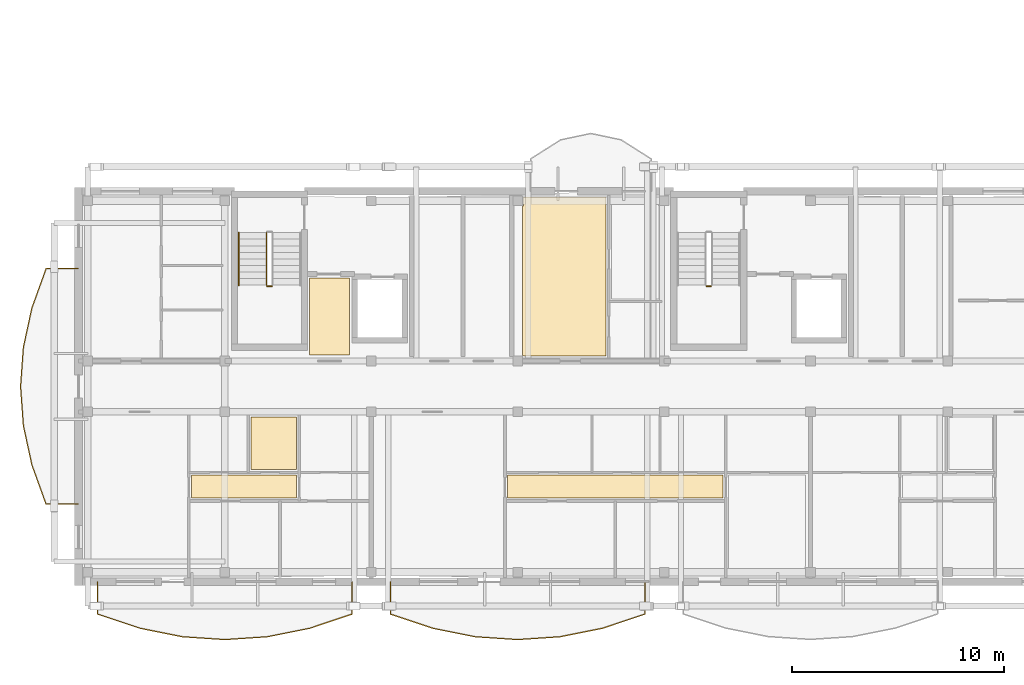
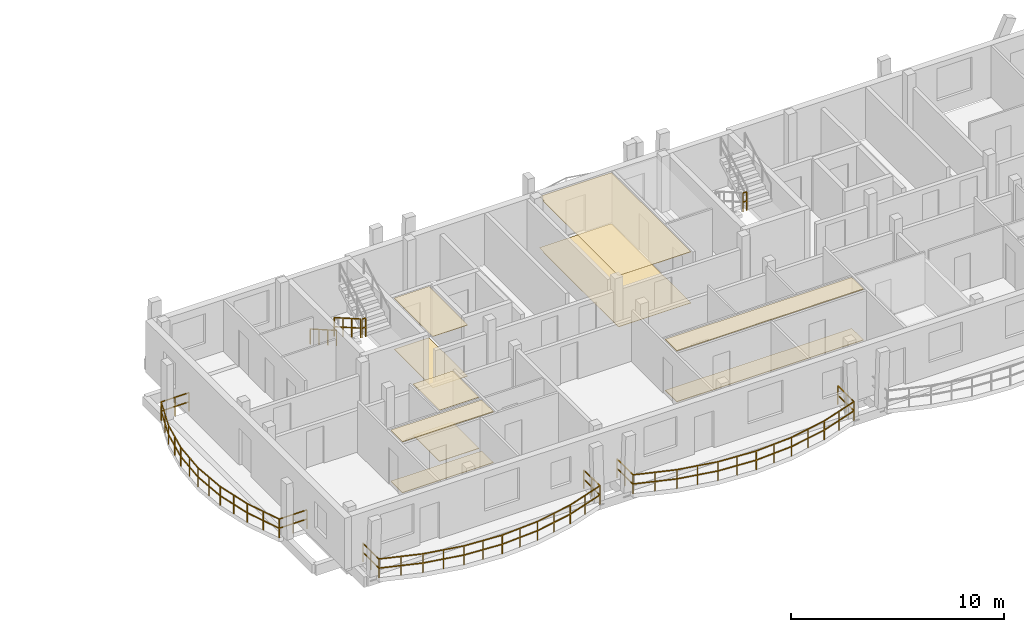
# One storey, part 33 of 41: 10 coverings, 7 railings.
"""IFC4 building model written with IfcOpenShell, lengths in metres."""

from ifc_helpers import new_model, si_unit, direction, frame, origin, origin_2d, place, context, subcontext, project, spatial, polyline, rectangle, outline, extrude, material, layer, layer_set, type_object, element, save


model = new_model("IFC4")

# Units and contexts
model_context = context("Model", 3, precision=1e-05, world=origin(), true_north=direction((0.0, 1.0)))
body_context = subcontext(model_context, "Body", "Model", "MODEL_VIEW")
ifc_project = project(units=[si_unit("LENGTHUNIT", "METRE"), si_unit("AREAUNIT", "SQUARE_METRE"), si_unit("VOLUMEUNIT", "CUBIC_METRE"), si_unit("PLANEANGLEUNIT", "RADIAN"), si_unit("MASSUNIT", "GRAM", prefix="KILO")], contexts=[model_context])

# Site, building, storey
site_placement = place(None, origin())
site = spatial("IfcSite", under=ifc_project, at=site_placement, CompositionType="ELEMENT")
building_placement = place(site_placement, origin())
building = spatial("IfcBuilding", under=site, at=building_placement, Name="Zavelmont Quarter", CompositionType="ELEMENT")
storey_placement = place(building_placement, frame((0.0, 0.0, 27.199951171875)))
storey = spatial("IfcBuildingStorey", under=building, at=storey_placement, Name="L08", CompositionType="ELEMENT", Elevation=27.199951171875)

# Coverings
ifc_material_1 = material(Name="Perforated acoustic gypsum board")
ifc_layer_1 = layer(ifc_material_1, 0.02490234375)
ifc_layer_set_1 = layer_set([ifc_layer_1], Name="Perforated acoustic gypsum board")
covering_type_1 = type_object("IfcCoveringType", Name="CV-CL01", PredefinedType="CEILING", material=ifc_layer_set_1)
covering_1_placement = place(storey_placement, frame((0.0, 0.0, 2.93505859375)))
element("IfcCovering", 1, at=covering_1_placement, inside=storey, type_object=covering_type_1, Name="L08 Lobby Vestibule acoustic ceiling", PredefinedType="CEILING", context=body_context, shape_type="SweptSolid", body=[
    extrude(outline(polyline([(10.8798828125, 14.320068359375), (12.77001953125, 14.320068359375), (12.77001953125, 10.679931640625), (10.8798828125, 10.679931640625), (10.8798828125, 14.320068359375)])), origin(), (0.0, 0.0, 1.0), 0.02490234375),
])
covering_2_placement = place(storey_placement, frame((0.0, 0.0, 2.93505859375)))
element("IfcCovering", 2, at=covering_2_placement, inside=storey, type_object=covering_type_1, Name="L08 Residents Study Lounge acoustic ceiling", PredefinedType="CEILING", context=body_context, shape_type="SweptSolid", body=[
    extrude(outline(polyline([(20.929931640625, 17.695068359375), (20.965087890625, 17.695068359375), (20.965087890625, 18.1201171875), (24.8701171875, 18.1201171875), (24.8701171875, 10.6298828125), (20.965087890625, 10.6298828125), (20.965087890625, 10.6650390625), (20.929931640625, 10.6650390625), (20.929931640625, 17.695068359375)])), origin(), (0.0, 0.0, 1.0), 0.02490234375),
])
ifc_material_2 = material(Name="Slatted European ash acoustic baffle ceiling")
ifc_layer_2 = layer(ifc_material_2, 0.0400390625)
ifc_layer_set_2 = layer_set([ifc_layer_2], Name="Slatted European ash acoustic baffle ceiling")
covering_type_2 = type_object("IfcCoveringType", Name="CV-CL02", PredefinedType="CEILING", material=ifc_layer_set_2)
covering_3_placement = place(storey_placement, frame((0.0, 0.0, 2.920166015625)))
element("IfcCovering", 3, at=covering_3_placement, inside=storey, type_object=covering_type_2, Name="L08 Apartment Hall acoustic ceiling", PredefinedType="CEILING", context=body_context, shape_type="SweptSolid", body=[
    extrude(outline(polyline([(5.330078125, 5.02001953125), (10.27001953125, 5.02001953125), (10.27001953125, 3.929931640625), (5.330078125, 3.929931640625), (5.330078125, 5.02001953125)])), origin(), (0.0, 0.0, 1.0), 0.039794921875),
])
covering_4_placement = place(storey_placement, frame((0.0, 0.0, 2.920166015625)))
element("IfcCovering", 4, at=covering_4_placement, inside=storey, type_object=covering_type_2, Name="L08 Apartment Hall acoustic ceiling", PredefinedType="CEILING", context=body_context, shape_type="SweptSolid", body=[
    extrude(outline(polyline([(20.22998046875, 5.02001953125), (30.3701171875, 5.02001953125), (30.3701171875, 3.929931640625), (20.22998046875, 3.929931640625), (20.22998046875, 5.02001953125)])), origin(), (0.0, 0.0, 1.0), 0.039794921875),
])
ifc_material_3 = material(Name="Moisture-resistant painted gypsum ceiling")
ifc_layer_3 = layer(ifc_material_3, 0.02001953125)
ifc_layer_set_3 = layer_set([ifc_layer_3], Name="Moisture-resistant painted gypsum ceiling")
covering_type_3 = type_object("IfcCoveringType", Name="CV-CL04", PredefinedType="CEILING", material=ifc_layer_set_3)
covering_5_placement = place(storey_placement, frame((0.0, 0.0, 2.93994140625)))
element("IfcCovering", 5, at=covering_5_placement, inside=storey, type_object=covering_type_3, Name="L08 Bathroom acoustic ceiling", PredefinedType="CEILING", context=body_context, shape_type="SweptSolid", body=[
    extrude(outline(polyline([(8.1298828125, 7.77001953125), (10.27001953125, 7.77001953125), (10.27001953125, 5.280029296875), (8.1298828125, 5.280029296875), (8.1298828125, 7.77001953125)])), origin(), (0.0, 0.0, 1.0), 0.02001953125),
])
ifc_material_4 = material(Name="Engineered European oak parquet")
ifc_layer_4 = layer(ifc_material_4, 0.02197265625)
ifc_layer_set_4 = layer_set([ifc_layer_4], Name="Engineered European oak parquet")
covering_type_4 = type_object("IfcCoveringType", Name="CV-FL01", PredefinedType="FLOORING", material=ifc_layer_set_4)
covering_6_placement = place(storey_placement, origin())
element("IfcCovering", 6, at=covering_6_placement, inside=storey, type_object=covering_type_4, Name="L08 Lobby Vestibule floor finish", PredefinedType="FLOORING", context=body_context, shape_type="SweptSolid", body=[
    extrude(outline(polyline([(10.8798828125, 14.320068359375), (12.77001953125, 14.320068359375), (12.77001953125, 10.679931640625), (10.8798828125, 10.679931640625), (10.8798828125, 14.320068359375)])), origin(), (0.0, 0.0, 1.0), 0.02197265625),
])
covering_7_placement = place(storey_placement, origin())
element("IfcCovering", 7, at=covering_7_placement, inside=storey, type_object=covering_type_4, Name="L08 Residents Study Lounge floor finish", PredefinedType="FLOORING", context=body_context, shape_type="SweptSolid", body=[
    extrude(outline(polyline([(20.929931640625, 17.695068359375), (20.965087890625, 17.695068359375), (20.965087890625, 18.1201171875), (24.8701171875, 18.1201171875), (24.8701171875, 10.6298828125), (20.965087890625, 10.6298828125), (20.965087890625, 10.6650390625), (20.929931640625, 10.6650390625), (20.929931640625, 17.695068359375)])), origin(), (0.0, 0.0, 1.0), 0.02197265625),
])
ifc_material_5 = material(Name="Honed Belgian bluestone tile", Category="masonry")
ifc_layer_5 = layer(ifc_material_5, 0.030029296875)
ifc_layer_set_5 = layer_set([ifc_layer_5], Name="Honed Belgian bluestone tile")
covering_type_5 = type_object("IfcCoveringType", Name="CV-FL02", PredefinedType="FLOORING", material=ifc_layer_set_5)
covering_8_placement = place(storey_placement, origin())
element("IfcCovering", 8, at=covering_8_placement, inside=storey, type_object=covering_type_5, Name="L08 Apartment Hall floor finish", PredefinedType="FLOORING", context=body_context, shape_type="SweptSolid", body=[
    extrude(outline(polyline([(5.330078125, 5.02001953125), (10.27001953125, 5.02001953125), (10.27001953125, 3.929931640625), (5.330078125, 3.929931640625), (5.330078125, 5.02001953125)])), origin(), (0.0, 0.0, 1.0), 0.030029296875),
])
covering_9_placement = place(storey_placement, origin())
element("IfcCovering", 9, at=covering_9_placement, inside=storey, type_object=covering_type_5, Name="L08 Apartment Hall floor finish", PredefinedType="FLOORING", context=body_context, shape_type="SweptSolid", body=[
    extrude(outline(polyline([(20.22998046875, 5.02001953125), (30.3701171875, 5.02001953125), (30.3701171875, 3.929931640625), (20.22998046875, 3.929931640625), (20.22998046875, 5.02001953125)])), origin(), (0.0, 0.0, 1.0), 0.030029296875),
])
ifc_material_6 = material(Name="Slip-resistant porcelain tile")
ifc_layer_6 = layer(ifc_material_6, 0.02587890625)
ifc_layer_set_6 = layer_set([ifc_layer_6], Name="Slip-resistant porcelain tile")
covering_type_6 = type_object("IfcCoveringType", Name="CV-FL04", PredefinedType="FLOORING", material=ifc_layer_set_6)
covering_10_placement = place(storey_placement, origin())
element("IfcCovering", 10, at=covering_10_placement, inside=storey, type_object=covering_type_6, Name="L08 Bathroom floor finish", PredefinedType="FLOORING", context=body_context, shape_type="SweptSolid", body=[
    extrude(outline(polyline([(8.1298828125, 7.77001953125), (10.27001953125, 7.77001953125), (10.27001953125, 5.280029296875), (8.1298828125, 5.280029296875), (8.1298828125, 7.77001953125)])), origin(), (0.0, 0.0, 1.0), 0.026123046875),
])

# Railings
ifc_material_7 = material(Name="Powder-coated steel and tempered double safety glass", Category="steel")
railing_type_1 = type_object("IfcRailingType", Name="RL-BAL1", PredefinedType="BALUSTRADE", material=ifc_material_7)
railing_1_placement = place(storey_placement, frame((0.89990234375, -0.02001953125, 0.0)))
element("IfcRailing", 11, at=railing_1_placement, inside=storey, type_object=railing_type_1, Name="L08 Block A curved balcony guard RL-BAL1", PredefinedType="BALUSTRADE", context=body_context, shape_type="SweptSolid", body=[
    extrude(rectangle(XDim=0.048095703125, YDim=0.048095703125, at=origin_2d()), frame((0.0, 0.0, 1.076171875), z_axis=(0.0, -1.0, 0.0), x_axis=(1.0, 0.0, 0.0)), (0.0, 0.0, 1.0), 1.510986328125),
    extrude(rectangle(XDim=0.048095703125, YDim=0.048095703125, at=origin_2d()), frame((0.0, 0.0, 0.550048828125), z_axis=(0.0, -1.0, 0.0), x_axis=(1.0, 0.0, 0.0)), (0.0, 0.0, 1.0), 1.510986328125),
    extrude(rectangle(XDim=0.048095703125, YDim=0.048095703125, at=origin_2d()), frame((0.0, -1.510986328125, 1.076171875), z_axis=(0.948463088057, -0.316887630861, 0.0), x_axis=(0.316887630861, 0.948463088057, 0.0)), (0.0, 0.0, 1.0), 2.108642578125),
    extrude(rectangle(XDim=0.048095703125, YDim=0.048095703125, at=origin_2d()), frame((0.0, -1.510986328125, 0.550048828125), z_axis=(0.948463088057, -0.316887630861, 0.0), x_axis=(0.316887630861, 0.948463088057, 0.0)), (0.0, 0.0, 1.0), 2.108642578125),
    extrude(rectangle(XDim=0.048095703125, YDim=0.048095703125, at=origin_2d()), frame((2.0, -2.17919921875, 1.076171875), z_axis=(0.980474655965, -0.196645490692, 0.0), x_axis=(0.196645490692, 0.980474655965, 0.0)), (0.0, 0.0, 1.0), 2.039794921875),
    extrude(rectangle(XDim=0.048095703125, YDim=0.048095703125, at=origin_2d()), frame((2.0, -2.17919921875, 0.550048828125), z_axis=(0.980474655965, -0.196645490692, 0.0), x_axis=(0.196645490692, 0.980474655965, 0.0)), (0.0, 0.0, 1.0), 2.039794921875),
    extrude(rectangle(XDim=0.048095703125, YDim=0.048095703125, at=origin_2d()), frame((4.0, -2.580322265625, 1.076171875), z_axis=(0.99777814618, -0.06662410229, 0.0), x_axis=(0.06662410229, 0.99777814618, 0.0)), (0.0, 0.0, 1.0), 2.00439453125),
    extrude(rectangle(XDim=0.048095703125, YDim=0.048095703125, at=origin_2d()), frame((4.0, -2.580322265625, 0.550048828125), z_axis=(0.99777814618, -0.06662410229, 0.0), x_axis=(0.06662410229, 0.99777814618, 0.0)), (0.0, 0.0, 1.0), 2.00439453125),
    extrude(rectangle(XDim=0.048095703125, YDim=0.048095703125, at=origin_2d()), frame((6.0, -2.7138671875, 1.076171875), z_axis=(0.99777814618, 0.06662410229, 0.0), x_axis=(-0.06662410229, 0.99777814618, 0.0)), (0.0, 0.0, 1.0), 2.00439453125),
    extrude(rectangle(XDim=0.048095703125, YDim=0.048095703125, at=origin_2d()), frame((6.0, -2.7138671875, 0.550048828125), z_axis=(0.99777814618, 0.06662410229, 0.0), x_axis=(-0.06662410229, 0.99777814618, 0.0)), (0.0, 0.0, 1.0), 2.00439453125),
    extrude(rectangle(XDim=0.048095703125, YDim=0.048095703125, at=origin_2d()), frame((8.0, -2.580322265625, 1.076171875), z_axis=(0.980474655965, 0.196645490692, 0.0), x_axis=(-0.196645490692, 0.980474655965, 0.0)), (0.0, 0.0, 1.0), 2.039794921875),
    extrude(rectangle(XDim=0.048095703125, YDim=0.048095703125, at=origin_2d()), frame((8.0, -2.580322265625, 0.550048828125), z_axis=(0.980474655965, 0.196645490692, 0.0), x_axis=(-0.196645490692, 0.980474655965, 0.0)), (0.0, 0.0, 1.0), 2.039794921875),
    extrude(rectangle(XDim=0.048095703125, YDim=0.048095703125, at=origin_2d()), frame((10.0, -2.17919921875, 1.076171875), z_axis=(0.948463088057, 0.316887630861, 0.0), x_axis=(-0.316887630861, 0.948463088057, 0.0)), (0.0, 0.0, 1.0), 2.108642578125),
    extrude(rectangle(XDim=0.048095703125, YDim=0.048095703125, at=origin_2d()), frame((10.0, -2.17919921875, 0.550048828125), z_axis=(0.948463088057, 0.316887630861, 0.0), x_axis=(-0.316887630861, 0.948463088057, 0.0)), (0.0, 0.0, 1.0), 2.108642578125),
    extrude(rectangle(XDim=0.048095703125, YDim=0.048095703125, at=origin_2d()), frame((12.0, -1.510986328125, 1.076171875), z_axis=(0.0, 1.0, 0.0), x_axis=(-1.0, 0.0, 0.0)), (0.0, 0.0, 1.0), 1.510986328125),
    extrude(rectangle(XDim=0.048095703125, YDim=0.048095703125, at=origin_2d()), frame((12.0, -1.510986328125, 0.550048828125), z_axis=(0.0, 1.0, 0.0), x_axis=(-1.0, 0.0, 0.0)), (0.0, 0.0, 1.0), 1.510986328125),
    extrude(rectangle(XDim=0.0419921875, YDim=0.0419921875, at=origin_2d()), origin(), (0.0, 0.0, 1.0), 1.052001953125),
    extrude(rectangle(XDim=0.0419921875, YDim=0.0419921875, at=origin_2d()), frame((0.0, -0.75537109375, 0.0)), (0.0, 0.0, 1.0), 1.052001953125),
    extrude(rectangle(XDim=0.0419921875, YDim=0.0419921875, at=origin_2d()), frame((0.0, -1.510986328125, 0.0)), (0.0, 0.0, 1.0), 1.052001953125),
    extrude(rectangle(XDim=0.0419921875, YDim=0.0419921875, at=origin_2d()), frame((1.0, -1.84521484375, 0.0)), (0.0, 0.0, 1.0), 1.052001953125),
    extrude(rectangle(XDim=0.0419921875, YDim=0.0419921875, at=origin_2d()), frame((2.0, -2.17919921875, 0.0)), (0.0, 0.0, 1.0), 1.052001953125),
    extrude(rectangle(XDim=0.0419921875, YDim=0.0419921875, at=origin_2d()), frame((3.0, -2.3798828125, 0.0)), (0.0, 0.0, 1.0), 1.052001953125),
    extrude(rectangle(XDim=0.0419921875, YDim=0.0419921875, at=origin_2d()), frame((4.0, -2.580322265625, 0.0)), (0.0, 0.0, 1.0), 1.052001953125),
    extrude(rectangle(XDim=0.0419921875, YDim=0.0419921875, at=origin_2d()), frame((5.0, -2.64697265625, 0.0)), (0.0, 0.0, 1.0), 1.052001953125),
    extrude(rectangle(XDim=0.0419921875, YDim=0.0419921875, at=origin_2d()), frame((6.0, -2.7138671875, 0.0)), (0.0, 0.0, 1.0), 1.052001953125),
    extrude(rectangle(XDim=0.0419921875, YDim=0.0419921875, at=origin_2d()), frame((7.0, -2.64697265625, 0.0)), (0.0, 0.0, 1.0), 1.052001953125),
    extrude(rectangle(XDim=0.0419921875, YDim=0.0419921875, at=origin_2d()), frame((8.0, -2.580322265625, 0.0)), (0.0, 0.0, 1.0), 1.052001953125),
    extrude(rectangle(XDim=0.0419921875, YDim=0.0419921875, at=origin_2d()), frame((9.0, -2.3798828125, 0.0)), (0.0, 0.0, 1.0), 1.052001953125),
    extrude(rectangle(XDim=0.0419921875, YDim=0.0419921875, at=origin_2d()), frame((10.0, -2.17919921875, 0.0)), (0.0, 0.0, 1.0), 1.052001953125),
    extrude(rectangle(XDim=0.0419921875, YDim=0.0419921875, at=origin_2d()), frame((11.0, -1.84521484375, 0.0)), (0.0, 0.0, 1.0), 1.052001953125),
    extrude(rectangle(XDim=0.0419921875, YDim=0.0419921875, at=origin_2d()), frame((12.0, -1.510986328125, 0.0)), (0.0, 0.0, 1.0), 1.052001953125),
    extrude(rectangle(XDim=0.0419921875, YDim=0.0419921875, at=origin_2d()), frame((12.0, -0.75537109375, 0.0)), (0.0, 0.0, 1.0), 1.052001953125),
    extrude(rectangle(XDim=0.0419921875, YDim=0.0419921875, at=origin_2d()), frame((12.0, 0.0, 0.0)), (0.0, 0.0, 1.0), 1.052001953125),
])
railing_2_placement = place(storey_placement, frame((14.699951171875, -0.02001953125, 0.0)))
element("IfcRailing", 12, at=railing_2_placement, inside=storey, type_object=railing_type_1, Name="L08 Block A curved balcony guard RL-BAL1", PredefinedType="BALUSTRADE", context=body_context, shape_type="SweptSolid", body=[
    extrude(rectangle(XDim=0.048095703125, YDim=0.048095703125, at=origin_2d()), frame((0.0, 0.0, 1.076171875), z_axis=(0.0, -1.0, 0.0), x_axis=(1.0, 0.0, 0.0)), (0.0, 0.0, 1.0), 1.510986328125),
    extrude(rectangle(XDim=0.048095703125, YDim=0.048095703125, at=origin_2d()), frame((0.0, 0.0, 0.550048828125), z_axis=(0.0, -1.0, 0.0), x_axis=(1.0, 0.0, 0.0)), (0.0, 0.0, 1.0), 1.510986328125),
    extrude(rectangle(XDim=0.048095703125, YDim=0.048095703125, at=origin_2d()), frame((0.0, -1.510986328125, 1.076171875), z_axis=(0.948463088057, -0.316887630861, 0.0), x_axis=(0.316887630861, 0.948463088057, 0.0)), (0.0, 0.0, 1.0), 2.108642578125),
    extrude(rectangle(XDim=0.048095703125, YDim=0.048095703125, at=origin_2d()), frame((0.0, -1.510986328125, 0.550048828125), z_axis=(0.948463088057, -0.316887630861, 0.0), x_axis=(0.316887630861, 0.948463088057, 0.0)), (0.0, 0.0, 1.0), 2.108642578125),
    extrude(rectangle(XDim=0.048095703125, YDim=0.048095703125, at=origin_2d()), frame((2.0, -2.17919921875, 1.076171875), z_axis=(0.980474655965, -0.196645490692, 0.0), x_axis=(0.196645490692, 0.980474655965, 0.0)), (0.0, 0.0, 1.0), 2.039794921875),
    extrude(rectangle(XDim=0.048095703125, YDim=0.048095703125, at=origin_2d()), frame((2.0, -2.17919921875, 0.550048828125), z_axis=(0.980474655965, -0.196645490692, 0.0), x_axis=(0.196645490692, 0.980474655965, 0.0)), (0.0, 0.0, 1.0), 2.039794921875),
    extrude(rectangle(XDim=0.048095703125, YDim=0.048095703125, at=origin_2d()), frame((4.0, -2.580322265625, 1.076171875), z_axis=(0.99777814618, -0.06662410229, 0.0), x_axis=(0.06662410229, 0.99777814618, 0.0)), (0.0, 0.0, 1.0), 2.00439453125),
    extrude(rectangle(XDim=0.048095703125, YDim=0.048095703125, at=origin_2d()), frame((4.0, -2.580322265625, 0.550048828125), z_axis=(0.99777814618, -0.06662410229, 0.0), x_axis=(0.06662410229, 0.99777814618, 0.0)), (0.0, 0.0, 1.0), 2.00439453125),
    extrude(rectangle(XDim=0.048095703125, YDim=0.048095703125, at=origin_2d()), frame((6.0, -2.7138671875, 1.076171875), z_axis=(0.99777814618, 0.06662410229, 0.0), x_axis=(-0.06662410229, 0.99777814618, 0.0)), (0.0, 0.0, 1.0), 2.00439453125),
    extrude(rectangle(XDim=0.048095703125, YDim=0.048095703125, at=origin_2d()), frame((6.0, -2.7138671875, 0.550048828125), z_axis=(0.99777814618, 0.06662410229, 0.0), x_axis=(-0.06662410229, 0.99777814618, 0.0)), (0.0, 0.0, 1.0), 2.00439453125),
    extrude(rectangle(XDim=0.048095703125, YDim=0.048095703125, at=origin_2d()), frame((8.0, -2.580322265625, 1.076171875), z_axis=(0.980474655965, 0.196645490692, 0.0), x_axis=(-0.196645490692, 0.980474655965, 0.0)), (0.0, 0.0, 1.0), 2.039794921875),
    extrude(rectangle(XDim=0.048095703125, YDim=0.048095703125, at=origin_2d()), frame((8.0, -2.580322265625, 0.550048828125), z_axis=(0.980474655965, 0.196645490692, 0.0), x_axis=(-0.196645490692, 0.980474655965, 0.0)), (0.0, 0.0, 1.0), 2.039794921875),
    extrude(rectangle(XDim=0.048095703125, YDim=0.048095703125, at=origin_2d()), frame((10.0, -2.17919921875, 1.076171875), z_axis=(0.948463088057, 0.316887630861, 0.0), x_axis=(-0.316887630861, 0.948463088057, 0.0)), (0.0, 0.0, 1.0), 2.108642578125),
    extrude(rectangle(XDim=0.048095703125, YDim=0.048095703125, at=origin_2d()), frame((10.0, -2.17919921875, 0.550048828125), z_axis=(0.948463088057, 0.316887630861, 0.0), x_axis=(-0.316887630861, 0.948463088057, 0.0)), (0.0, 0.0, 1.0), 2.108642578125),
    extrude(rectangle(XDim=0.048095703125, YDim=0.048095703125, at=origin_2d()), frame((12.0, -1.510986328125, 1.076171875), z_axis=(0.0, 1.0, 0.0), x_axis=(-1.0, 0.0, 0.0)), (0.0, 0.0, 1.0), 1.510986328125),
    extrude(rectangle(XDim=0.048095703125, YDim=0.048095703125, at=origin_2d()), frame((12.0, -1.510986328125, 0.550048828125), z_axis=(0.0, 1.0, 0.0), x_axis=(-1.0, 0.0, 0.0)), (0.0, 0.0, 1.0), 1.510986328125),
    extrude(rectangle(XDim=0.0419921875, YDim=0.0419921875, at=origin_2d()), origin(), (0.0, 0.0, 1.0), 1.052001953125),
    extrude(rectangle(XDim=0.0419921875, YDim=0.0419921875, at=origin_2d()), frame((0.0, -0.75537109375, 0.0)), (0.0, 0.0, 1.0), 1.052001953125),
    extrude(rectangle(XDim=0.0419921875, YDim=0.0419921875, at=origin_2d()), frame((0.0, -1.510986328125, 0.0)), (0.0, 0.0, 1.0), 1.052001953125),
    extrude(rectangle(XDim=0.0419921875, YDim=0.0419921875, at=origin_2d()), frame((1.0, -1.84521484375, 0.0)), (0.0, 0.0, 1.0), 1.052001953125),
    extrude(rectangle(XDim=0.0419921875, YDim=0.0419921875, at=origin_2d()), frame((2.0, -2.17919921875, 0.0)), (0.0, 0.0, 1.0), 1.052001953125),
    extrude(rectangle(XDim=0.0419921875, YDim=0.0419921875, at=origin_2d()), frame((3.0, -2.3798828125, 0.0)), (0.0, 0.0, 1.0), 1.052001953125),
    extrude(rectangle(XDim=0.0419921875, YDim=0.0419921875, at=origin_2d()), frame((4.0, -2.580322265625, 0.0)), (0.0, 0.0, 1.0), 1.052001953125),
    extrude(rectangle(XDim=0.0419921875, YDim=0.0419921875, at=origin_2d()), frame((5.0, -2.64697265625, 0.0)), (0.0, 0.0, 1.0), 1.052001953125),
    extrude(rectangle(XDim=0.0419921875, YDim=0.0419921875, at=origin_2d()), frame((6.0, -2.7138671875, 0.0)), (0.0, 0.0, 1.0), 1.052001953125),
    extrude(rectangle(XDim=0.0419921875, YDim=0.0419921875, at=origin_2d()), frame((7.0, -2.64697265625, 0.0)), (0.0, 0.0, 1.0), 1.052001953125),
    extrude(rectangle(XDim=0.0419921875, YDim=0.0419921875, at=origin_2d()), frame((8.0, -2.580322265625, 0.0)), (0.0, 0.0, 1.0), 1.052001953125),
    extrude(rectangle(XDim=0.0419921875, YDim=0.0419921875, at=origin_2d()), frame((9.0, -2.3798828125, 0.0)), (0.0, 0.0, 1.0), 1.052001953125),
    extrude(rectangle(XDim=0.0419921875, YDim=0.0419921875, at=origin_2d()), frame((10.0, -2.17919921875, 0.0)), (0.0, 0.0, 1.0), 1.052001953125),
    extrude(rectangle(XDim=0.0419921875, YDim=0.0419921875, at=origin_2d()), frame((11.0, -1.84521484375, 0.0)), (0.0, 0.0, 1.0), 1.052001953125),
    extrude(rectangle(XDim=0.0419921875, YDim=0.0419921875, at=origin_2d()), frame((12.0, -1.510986328125, 0.0)), (0.0, 0.0, 1.0), 1.052001953125),
    extrude(rectangle(XDim=0.0419921875, YDim=0.0419921875, at=origin_2d()), frame((12.0, -0.75537109375, 0.0)), (0.0, 0.0, 1.0), 1.052001953125),
    extrude(rectangle(XDim=0.0419921875, YDim=0.0419921875, at=origin_2d()), frame((12.0, 0.0, 0.0)), (0.0, 0.0, 1.0), 1.052001953125),
])
railing_3_placement = place(storey_placement, frame((-0.02001953125, 14.75, 0.0)))
element("IfcRailing", 13, at=railing_3_placement, inside=storey, type_object=railing_type_1, Name="L08 Block A curved balcony guard RL-BAL1", PredefinedType="BALUSTRADE", context=body_context, shape_type="SweptSolid", body=[
    extrude(rectangle(XDim=0.048095703125, YDim=0.048095703125, at=origin_2d()), frame((0.0, 0.0, 1.076171875), z_axis=(-1.0, 0.0, 0.0), x_axis=(0.0, -1.0, 0.0)), (0.0, 0.0, 1.0), 1.510986328125),
    extrude(rectangle(XDim=0.048095703125, YDim=0.048095703125, at=origin_2d()), frame((0.0, 0.0, 0.550048828125), z_axis=(-1.0, 0.0, 0.0), x_axis=(0.0, -1.0, 0.0)), (0.0, 0.0, 1.0), 1.510986328125),
    extrude(rectangle(XDim=0.048095703125, YDim=0.048095703125, at=origin_2d()), frame((-1.510986328125, 0.0, 1.076171875), z_axis=(-0.339699361299, -0.940534073776, 0.0), x_axis=(0.940534073776, -0.339699361299, 0.0)), (0.0, 0.0, 1.0), 1.967041015625),
    extrude(rectangle(XDim=0.048095703125, YDim=0.048095703125, at=origin_2d()), frame((-1.510986328125, 0.0, 0.550048828125), z_axis=(-0.339699361299, -0.940534073776, 0.0), x_axis=(0.940534073776, -0.339699361299, 0.0)), (0.0, 0.0, 1.0), 1.967041015625),
    extrude(rectangle(XDim=0.048095703125, YDim=0.048095703125, at=origin_2d()), frame((-2.17919921875, -1.85009765625, 1.076171875), z_axis=(-0.211915554033, -0.977287981078, 0.0), x_axis=(0.977287981078, -0.211915554033, 0.0)), (0.0, 0.0, 1.0), 1.892822265625),
    extrude(rectangle(XDim=0.048095703125, YDim=0.048095703125, at=origin_2d()), frame((-2.17919921875, -1.85009765625, 0.550048828125), z_axis=(-0.211915554033, -0.977287981078, 0.0), x_axis=(0.977287981078, -0.211915554033, 0.0)), (0.0, 0.0, 1.0), 1.892822265625),
    extrude(rectangle(XDim=0.048095703125, YDim=0.048095703125, at=origin_2d()), frame((-2.580322265625, -3.699951171875, 1.076171875), z_axis=(-0.071995317841, -0.997404970014, 0.0), x_axis=(0.997404970014, -0.071995317841, 0.0)), (0.0, 0.0, 1.0), 1.85498046875),
    extrude(rectangle(XDim=0.048095703125, YDim=0.048095703125, at=origin_2d()), frame((-2.580322265625, -3.699951171875, 0.550048828125), z_axis=(-0.071995317841, -0.997404970014, 0.0), x_axis=(0.997404970014, -0.071995317841, 0.0)), (0.0, 0.0, 1.0), 1.85498046875),
    extrude(rectangle(XDim=0.048095703125, YDim=0.048095703125, at=origin_2d()), frame((-2.7138671875, -5.550048828125, 1.076171875), z_axis=(0.072004770404, -0.997404287658, 0.0), x_axis=(0.997404287658, 0.072004770404, 0.0)), (0.0, 0.0, 1.0), 1.854736328125),
    extrude(rectangle(XDim=0.048095703125, YDim=0.048095703125, at=origin_2d()), frame((-2.7138671875, -5.550048828125, 0.550048828125), z_axis=(0.072004770404, -0.997404287658, 0.0), x_axis=(0.997404287658, 0.072004770404, 0.0)), (0.0, 0.0, 1.0), 1.854736328125),
    extrude(rectangle(XDim=0.048095703125, YDim=0.048095703125, at=origin_2d()), frame((-2.580322265625, -7.39990234375, 1.076171875), z_axis=(0.211888845059, -0.977293772281, 0.0), x_axis=(0.977293772281, 0.211888845059, 0.0)), (0.0, 0.0, 1.0), 1.89306640625),
    extrude(rectangle(XDim=0.048095703125, YDim=0.048095703125, at=origin_2d()), frame((-2.580322265625, -7.39990234375, 0.550048828125), z_axis=(0.211888845059, -0.977293772281, 0.0), x_axis=(0.977293772281, 0.211888845059, 0.0)), (0.0, 0.0, 1.0), 1.89306640625),
    extrude(rectangle(XDim=0.048095703125, YDim=0.048095703125, at=origin_2d()), frame((-2.17919921875, -9.25, 1.076171875), z_axis=(0.339699361299, -0.940534073776, 0.0), x_axis=(0.940534073776, 0.339699361299, 0.0)), (0.0, 0.0, 1.0), 1.967041015625),
    extrude(rectangle(XDim=0.048095703125, YDim=0.048095703125, at=origin_2d()), frame((-2.17919921875, -9.25, 0.550048828125), z_axis=(0.339699361299, -0.940534073776, 0.0), x_axis=(0.940534073776, 0.339699361299, 0.0)), (0.0, 0.0, 1.0), 1.967041015625),
    extrude(rectangle(XDim=0.048095703125, YDim=0.048095703125, at=origin_2d()), frame((-1.510986328125, -11.10009765625, 1.076171875), z_axis=(1.0, 0.0, 0.0), x_axis=(0.0, 1.0, 0.0)), (0.0, 0.0, 1.0), 1.510986328125),
    extrude(rectangle(XDim=0.048095703125, YDim=0.048095703125, at=origin_2d()), frame((-1.510986328125, -11.10009765625, 0.550048828125), z_axis=(1.0, 0.0, 0.0), x_axis=(0.0, 1.0, 0.0)), (0.0, 0.0, 1.0), 1.510986328125),
    extrude(rectangle(XDim=0.0419921875, YDim=0.0419921875, at=origin_2d()), origin(), (0.0, 0.0, 1.0), 1.052001953125),
    extrude(rectangle(XDim=0.0419921875, YDim=0.0419921875, at=origin_2d()), frame((-0.75537109375, 0.0, 0.0)), (0.0, 0.0, 1.0), 1.052001953125),
    extrude(rectangle(XDim=0.0419921875, YDim=0.0419921875, at=origin_2d()), frame((-1.510986328125, 0.0, 0.0)), (0.0, 0.0, 1.0), 1.052001953125),
    extrude(rectangle(XDim=0.0419921875, YDim=0.0419921875, at=origin_2d()), frame((-1.84521484375, -0.925048828125, 0.0)), (0.0, 0.0, 1.0), 1.052001953125),
    extrude(rectangle(XDim=0.0419921875, YDim=0.0419921875, at=origin_2d()), frame((-2.17919921875, -1.85009765625, 0.0)), (0.0, 0.0, 1.0), 1.052001953125),
    extrude(rectangle(XDim=0.0419921875, YDim=0.0419921875, at=origin_2d()), frame((-2.3798828125, -2.77490234375, 0.0)), (0.0, 0.0, 1.0), 1.052001953125),
    extrude(rectangle(XDim=0.0419921875, YDim=0.0419921875, at=origin_2d()), frame((-2.580322265625, -3.699951171875, 0.0)), (0.0, 0.0, 1.0), 1.052001953125),
    extrude(rectangle(XDim=0.0419921875, YDim=0.0419921875, at=origin_2d()), frame((-2.64697265625, -4.625, 0.0)), (0.0, 0.0, 1.0), 1.052001953125),
    extrude(rectangle(XDim=0.0419921875, YDim=0.0419921875, at=origin_2d()), frame((-2.7138671875, -5.550048828125, 0.0)), (0.0, 0.0, 1.0), 1.052001953125),
    extrude(rectangle(XDim=0.0419921875, YDim=0.0419921875, at=origin_2d()), frame((-2.64697265625, -6.47509765625, 0.0)), (0.0, 0.0, 1.0), 1.052001953125),
    extrude(rectangle(XDim=0.0419921875, YDim=0.0419921875, at=origin_2d()), frame((-2.580322265625, -7.39990234375, 0.0)), (0.0, 0.0, 1.0), 1.052001953125),
    extrude(rectangle(XDim=0.0419921875, YDim=0.0419921875, at=origin_2d()), frame((-2.3798828125, -8.324951171875, 0.0)), (0.0, 0.0, 1.0), 1.052001953125),
    extrude(rectangle(XDim=0.0419921875, YDim=0.0419921875, at=origin_2d()), frame((-2.17919921875, -9.25, 0.0)), (0.0, 0.0, 1.0), 1.052001953125),
    extrude(rectangle(XDim=0.0419921875, YDim=0.0419921875, at=origin_2d()), frame((-1.84521484375, -10.175048828125, 0.0)), (0.0, 0.0, 1.0), 1.052001953125),
    extrude(rectangle(XDim=0.0419921875, YDim=0.0419921875, at=origin_2d()), frame((-1.510986328125, -11.10009765625, 0.0)), (0.0, 0.0, 1.0), 1.052001953125),
    extrude(rectangle(XDim=0.0419921875, YDim=0.0419921875, at=origin_2d()), frame((-0.75537109375, -11.10009765625, 0.0)), (0.0, 0.0, 1.0), 1.052001953125),
    extrude(rectangle(XDim=0.0419921875, YDim=0.0419921875, at=origin_2d()), frame((0.0, -11.10009765625, 0.0)), (0.0, 0.0, 1.0), 1.052001953125),
])
ifc_material_8 = material(Name="Powder-coated steel stair guardrail", Category="steel")
railing_type_2 = type_object("IfcRailingType", Name="RL-GRD1", PredefinedType="GUARDRAIL", material=ifc_material_8)
railing_4_placement = place(storey_placement, frame((8.85009765625, 16.449951171875, 0.177734375)))
element("IfcRailing", 14, at=railing_4_placement, inside=storey, type_object=railing_type_2, Name="L08 ST01 stair guardrail 1", PredefinedType="GUARDRAIL", context=body_context, shape_type="SweptSolid", body=[
    extrude(rectangle(XDim=0.048095703125, YDim=0.048095703125, at=origin_2d()), frame((0.0, 0.0, 1.076171875), z_axis=(0.0, -0.867453774394, 0.497517787913), x_axis=(1.0, 0.0, 0.0)), (0.0, 0.0, 1.0), 2.85888671875),
    extrude(rectangle(XDim=0.048095703125, YDim=0.048095703125, at=origin_2d()), frame((0.0, 0.0, 0.550048828125), z_axis=(0.0, -0.867453774394, 0.497517787913), x_axis=(1.0, 0.0, 0.0)), (0.0, 0.0, 1.0), 2.85888671875),
    extrude(rectangle(XDim=0.0419921875, YDim=0.0419921875, at=origin_2d()), origin(), (0.0, 0.0, 1.0), 1.052001953125),
    extrude(rectangle(XDim=0.0419921875, YDim=0.0419921875, at=origin_2d()), frame((0.0, -0.82666015625, 0.47412109375)), (0.0, 0.0, 1.0), 1.052001953125),
    extrude(rectangle(XDim=0.0419921875, YDim=0.0419921875, at=origin_2d()), frame((0.0, -1.6533203125, 0.9482421875)), (0.0, 0.0, 1.0), 1.052001953125),
    extrude(rectangle(XDim=0.0419921875, YDim=0.0419921875, at=origin_2d()), frame((0.0, -2.47998046875, 1.42236328125)), (0.0, 0.0, 1.0), 1.052001953125),
])
railing_5_placement = place(storey_placement, frame((8.89990234375, 13.919921875, 1.60009765625)))
element("IfcRailing", 15, at=railing_5_placement, inside=storey, type_object=railing_type_2, Name="L08 ST01 stair guardrail 2", PredefinedType="GUARDRAIL", context=body_context, shape_type="SweptSolid", body=[
    extrude(rectangle(XDim=0.048095703125, YDim=0.048095703125, at=origin_2d()), frame((0.0, 0.0, 1.076171875), z_axis=(1.0, 0.0, 0.0), x_axis=(0.0, 1.0, 0.0)), (0.0, 0.0, 1.0), 0.2001953125),
    extrude(rectangle(XDim=0.048095703125, YDim=0.048095703125, at=origin_2d()), frame((0.0, 0.0, 0.550048828125), z_axis=(1.0, 0.0, 0.0), x_axis=(0.0, 1.0, 0.0)), (0.0, 0.0, 1.0), 0.2001953125),
    extrude(rectangle(XDim=0.0419921875, YDim=0.0419921875, at=origin_2d()), origin(), (0.0, 0.0, 1.0), 1.052001953125),
    extrude(rectangle(XDim=0.0419921875, YDim=0.0419921875, at=origin_2d()), frame((0.2001953125, 0.0, 0.0)), (0.0, 0.0, 1.0), 1.052001953125),
])
railing_6_placement = place(storey_placement, frame((29.60009765625, 13.919921875, 1.60009765625)))
element("IfcRailing", 16, at=railing_6_placement, inside=storey, type_object=railing_type_2, Name="L08 ST02 stair guardrail 2", PredefinedType="GUARDRAIL", context=body_context, shape_type="SweptSolid", body=[
    extrude(rectangle(XDim=0.048095703125, YDim=0.048095703125, at=origin_2d()), frame((0.0, 0.0, 1.076171875), z_axis=(1.0, 0.0, 0.0), x_axis=(0.0, 1.0, 0.0)), (0.0, 0.0, 1.0), 0.199951171875),
    extrude(rectangle(XDim=0.048095703125, YDim=0.048095703125, at=origin_2d()), frame((0.0, 0.0, 0.550048828125), z_axis=(1.0, 0.0, 0.0), x_axis=(0.0, 1.0, 0.0)), (0.0, 0.0, 1.0), 0.199951171875),
    extrude(rectangle(XDim=0.0419921875, YDim=0.0419921875, at=origin_2d()), origin(), (0.0, 0.0, 1.0), 1.052001953125),
    extrude(rectangle(XDim=0.0419921875, YDim=0.0419921875, at=origin_2d()), frame((0.199951171875, 0.0, 0.0)), (0.0, 0.0, 1.0), 1.052001953125),
])
ifc_material_9 = material(Name="Brushed stainless-steel wall handrail", Category="steel")
railing_type_3 = type_object("IfcRailingType", Name="RL-HND1", PredefinedType="HANDRAIL", material=ifc_material_9)
railing_7_placement = place(storey_placement, frame((7.550048828125, 16.449951171875, 0.177734375)))
element("IfcRailing", 17, at=railing_7_placement, inside=storey, type_object=railing_type_3, Name="L08 ST01 stair handrail 1", PredefinedType="HANDRAIL", context=body_context, shape_type="SweptSolid", body=[
    extrude(rectangle(XDim=0.048095703125, YDim=0.048095703125, at=origin_2d()), frame((0.0, 0.0, 0.8759765625), z_axis=(0.0, -0.867453774394, 0.497517787913), x_axis=(1.0, 0.0, 0.0)), (0.0, 0.0, 1.0), 2.85888671875),
    extrude(rectangle(XDim=0.0419921875, YDim=0.0419921875, at=origin_2d()), origin(), (0.0, 0.0, 1.0), 0.851806640625),
    extrude(rectangle(XDim=0.0419921875, YDim=0.0419921875, at=origin_2d()), frame((0.0, -0.82666015625, 0.47412109375)), (0.0, 0.0, 1.0), 0.851806640625),
    extrude(rectangle(XDim=0.0419921875, YDim=0.0419921875, at=origin_2d()), frame((0.0, -1.6533203125, 0.9482421875)), (0.0, 0.0, 1.0), 0.851806640625),
    extrude(rectangle(XDim=0.0419921875, YDim=0.0419921875, at=origin_2d()), frame((0.0, -2.47998046875, 1.42236328125)), (0.0, 0.0, 1.0), 0.851806640625),
])

save(model, "model.ifc")
